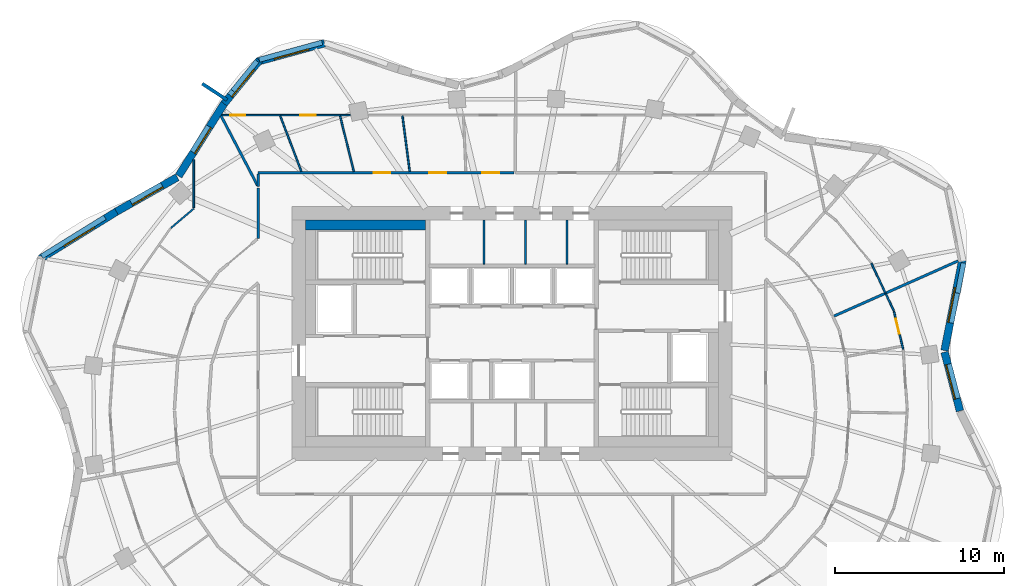
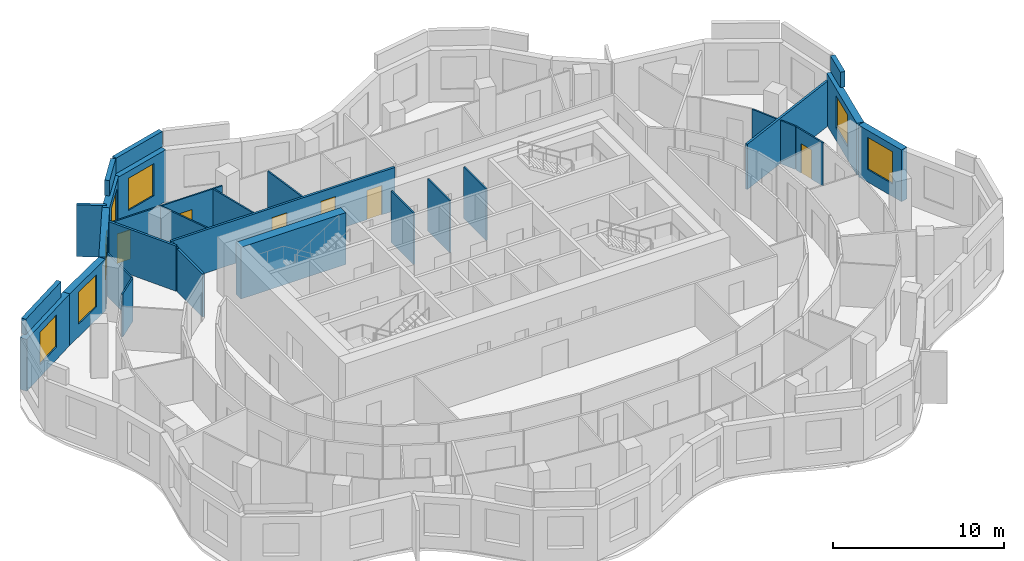
# One storey, part 8 of 11: 30 walls, 7 windows, 6 doors, 13 openings.
"""IFC4 building model written with IfcOpenShell, lengths in metres."""

from ifc_helpers import new_model, si_unit, direction, frame, frame_2d, origin, place, context, subcontext, project, spatial, rectangle, extrude, material, layer, layer_set, type_object, element, fill, save


model = new_model("IFC4")

# Units and contexts
model_context = context("Model", 3, precision=1e-05, world=origin(), true_north=direction((0.0, 1.0)))
body_context = subcontext(model_context, "Body", "Model", "MODEL_VIEW")
ifc_project = project(units=[si_unit("LENGTHUNIT", "METRE"), si_unit("AREAUNIT", "SQUARE_METRE"), si_unit("VOLUMEUNIT", "CUBIC_METRE"), si_unit("PLANEANGLEUNIT", "RADIAN"), si_unit("MASSUNIT", "GRAM", prefix="KILO")], contexts=[model_context])

# Site, building, storey
site_placement = place(None, origin())
site = spatial("IfcSite", under=ifc_project, at=site_placement, CompositionType="ELEMENT")
building_placement = place(site_placement, origin())
building = spatial("IfcBuilding", under=site, at=building_placement, Name="Rubra Terraces Tower", CompositionType="ELEMENT")
storey_placement = place(building_placement, frame((0.0, 0.0, 181.800048828125)))
storey = spatial("IfcBuildingStorey", under=building, at=storey_placement, Name="L44", CompositionType="ELEMENT", Elevation=181.800048828125)

# Wall, opening, window
ifc_material_1 = material(Name="Brick masonry red-brown", Category="masonry")
ifc_layer_1 = layer(ifc_material_1, 0.449951171875)
ifc_layer_set_1 = layer_set([ifc_layer_1], Name="Brick masonry red-brown")
wall_type_1 = type_object("IfcWallType", Name="Brick facade wall 450", PredefinedType="SOLIDWALL", material=ifc_layer_set_1)
wall_1_placement = place(storey_placement, frame((26.469482421875, -0.0791015625, 0.0), z_axis=(0.0, 0.0, 1.0), x_axis=(-0.252446779859, 0.967610780913, 0.0)))
wall_1 = element("IfcWall", 1, at=wall_1_placement, inside=storey, type_object=wall_type_1, Name="Facade wall L44 bay 1", PredefinedType="SOLIDWALL", context=body_context, shape_type="SweptSolid", body=[
    extrude(rectangle(XDim=3.5947265625, YDim=0.449951171875, at=frame_2d((1.79736328125, 0.0))), origin(), (0.0, 0.0, 1.0), 3.699951171875),
])
opening_1_placement = place(wall_1_placement, frame((0.747314453125, 0.0, 0.89990234375)))
opening_1 = element("IfcOpeningElement", 2, at=opening_1_placement, cuts=wall_1, Name="Opening W1B", PredefinedType="OPENING", context=body_context, shape_type="SweptSolid", body=[
    extrude(rectangle(XDim=2.10009765625, YDim=2.300048828125, at=frame_2d((1.050048828125, 1.14990234375))), frame((0.0, 0.23486328125, 0.0), z_axis=(0.0, -1.0, 0.0), x_axis=(1.0, 0.0, 0.0)), (0.0, 0.0, 1.0), 0.469970703125),
])
ifc_material_2 = material(Name="Clear glass in aluminium frame", Category="aluminium")
window_type_1 = type_object("IfcWindowType", Name="Fixed deep-set window tall storey 2100 x 2300", PartitioningType="SINGLE_PANEL", PredefinedType="WINDOW", material=ifc_material_2)
window_1_placement = place(opening_1_placement, origin())
window_1 = element("IfcWindow", 3, at=window_1_placement, inside=storey, type_object=window_type_1, Name="Window L44 bay 1", OverallHeight=2.300048828125, OverallWidth=2.10009765625, PartitioningType="SINGLE_PANEL", PredefinedType="WINDOW", context=body_context, shape_type="SweptSolid", body=[
    extrude(rectangle(XDim=2.10009765625, YDim=2.300048828125, at=frame_2d((1.050048828125, 1.14990234375))), frame((0.0, 0.135009765625, 0.0), z_axis=(0.0, -1.0, 0.0), x_axis=(1.0, 0.0, 0.0)), (0.0, 0.0, 1.0), 0.06005859375),
])
fill(opening_1, window_1)

wall_2_placement = place(storey_placement, frame((25.561279296875, 3.490478515625, 0.0), z_axis=(0.0, 0.0, 1.0), x_axis=(0.192494026297, 0.981298145234, 0.0)))
wall_2 = element("IfcWall", 4, at=wall_2_placement, inside=storey, type_object=wall_type_1, Name="Facade wall L44 bay 2", PredefinedType="SOLIDWALL", context=body_context, shape_type="SweptSolid", body=[
    extrude(rectangle(XDim=5.446044921875, YDim=0.449951171875, at=frame_2d((2.72314453125, 0.0))), origin(), (0.0, 0.0, 1.0), 3.699951171875),
])
opening_2_placement = place(wall_2_placement, frame((1.673095703125, 0.0, 0.89990234375)))
opening_2 = element("IfcOpeningElement", 5, at=opening_2_placement, cuts=wall_2, Name="Opening W1B", PredefinedType="OPENING", context=body_context, shape_type="SweptSolid", body=[
    extrude(rectangle(XDim=2.10009765625, YDim=2.300048828125, at=frame_2d((1.050048828125, 1.14990234375))), frame((0.0, 0.23486328125, 0.0), z_axis=(0.0, -1.0, 0.0), x_axis=(1.0, 0.0, 0.0)), (0.0, 0.0, 1.0), 0.469970703125),
])
window_2_placement = place(opening_2_placement, origin())
window_2 = element("IfcWindow", 6, at=window_2_placement, inside=storey, type_object=window_type_1, Name="Window L44 bay 2", OverallHeight=2.300048828125, OverallWidth=2.10009765625, PartitioningType="SINGLE_PANEL", PredefinedType="WINDOW", context=body_context, shape_type="SweptSolid", body=[
    extrude(rectangle(XDim=2.10009765625, YDim=2.300048828125, at=frame_2d((1.050048828125, 1.14990234375))), frame((0.0, 0.135009765625, 0.0), z_axis=(0.0, -1.0, 0.0), x_axis=(1.0, 0.0, 0.0)), (0.0, 0.0, 1.0), 0.06005859375),
])
fill(opening_2, window_2)

wall_3_placement = place(storey_placement, frame((-11.08251953125, 21.64990234375, 0.0), z_axis=(0.0, 0.0, 1.0), x_axis=(-0.964483204983, -0.264144179011, 0.0)))
wall_3 = element("IfcWall", 7, at=wall_3_placement, inside=storey, type_object=wall_type_1, Name="Facade wall L44 bay 14", PredefinedType="SOLIDWALL", context=body_context, shape_type="SweptSolid", body=[
    extrude(rectangle(XDim=4.103759765625, YDim=0.449951171875, at=frame_2d((2.0517578125, 0.0))), origin(), (0.0, 0.0, 1.0), 3.699951171875),
])
opening_3_placement = place(wall_3_placement, frame((1.001953125, 0.0, 0.89990234375)))
opening_3 = element("IfcOpeningElement", 8, at=opening_3_placement, cuts=wall_3, Name="Opening W1B", PredefinedType="OPENING", context=body_context, shape_type="SweptSolid", body=[
    extrude(rectangle(XDim=2.10009765625, YDim=2.300048828125, at=frame_2d((1.050048828125, 1.14990234375))), frame((0.0, 0.23486328125, 0.0), z_axis=(0.0, -1.0, 0.0), x_axis=(1.0, 0.0, 0.0)), (0.0, 0.0, 1.0), 0.469970703125),
])
window_3_placement = place(opening_3_placement, origin())
window_3 = element("IfcWindow", 9, at=window_3_placement, inside=storey, type_object=window_type_1, Name="Window L44 bay 14", OverallHeight=2.300048828125, OverallWidth=2.10009765625, PartitioningType="SINGLE_PANEL", PredefinedType="WINDOW", context=body_context, shape_type="SweptSolid", body=[
    extrude(rectangle(XDim=2.10009765625, YDim=2.300048828125, at=frame_2d((1.050048828125, 1.14990234375))), frame((0.0, 0.135009765625, 0.0), z_axis=(0.0, -1.0, 0.0), x_axis=(1.0, 0.0, 0.0)), (0.0, 0.0, 1.0), 0.06005859375),
])
fill(opening_3, window_3)

wall_4_placement = place(storey_placement, frame((-14.925537109375, 20.640869140625, 0.0), z_axis=(0.0, 0.0, 1.0), x_axis=(-0.631548074669, -0.775336720001, 0.0)))
wall_4 = element("IfcWall", 10, at=wall_4_placement, inside=storey, type_object=wall_type_1, Name="Facade wall L44 bay 15", PredefinedType="SOLIDWALL", context=body_context, shape_type="SweptSolid", body=[
    extrude(rectangle(XDim=3.3076171875, YDim=0.449951171875, at=frame_2d((1.65380859375, 0.0))), origin(), (0.0, 0.0, 1.0), 3.699951171875),
])
opening_4_placement = place(wall_4_placement, frame((0.603759765625, 0.0, 0.89990234375)))
opening_4 = element("IfcOpeningElement", 11, at=opening_4_placement, cuts=wall_4, Name="Opening W1B", PredefinedType="OPENING", context=body_context, shape_type="SweptSolid", body=[
    extrude(rectangle(XDim=2.10009765625, YDim=2.300048828125, at=frame_2d((1.050048828125, 1.14990234375))), frame((0.0, 0.23486328125, 0.0), z_axis=(0.0, -1.0, 0.0), x_axis=(1.0, 0.0, 0.0)), (0.0, 0.0, 1.0), 0.469970703125),
])
window_4_placement = place(opening_4_placement, origin())
window_4 = element("IfcWindow", 12, at=window_4_placement, inside=storey, type_object=window_type_1, Name="Window L44 bay 15", OverallHeight=2.300048828125, OverallWidth=2.10009765625, PartitioningType="SINGLE_PANEL", PredefinedType="WINDOW", context=body_context, shape_type="SweptSolid", body=[
    extrude(rectangle(XDim=2.10009765625, YDim=2.300048828125, at=frame_2d((1.050048828125, 1.14990234375))), frame((0.0, 0.135009765625, 0.0), z_axis=(0.0, -1.0, 0.0), x_axis=(1.0, 0.0, 0.0)), (0.0, 0.0, 1.0), 0.06005859375),
])
fill(opening_4, window_4)

wall_5_placement = place(storey_placement, frame((-16.998291015625, 18.0986328125, 0.0), z_axis=(0.0, 0.0, 1.0), x_axis=(-0.532745661304, -0.846275404559, 0.0)))
wall_5 = element("IfcWall", 13, at=wall_5_placement, inside=storey, type_object=wall_type_1, Name="Facade wall L44 bay 16", PredefinedType="SOLIDWALL", context=body_context, shape_type="SweptSolid", body=[
    extrude(rectangle(XDim=5.076171875, YDim=0.449951171875, at=frame_2d((2.5380859375, 0.0))), origin(), (0.0, 0.0, 1.0), 3.699951171875),
])
opening_5_placement = place(wall_5_placement, frame((1.63818359375, 0.0, 0.89990234375)))
opening_5 = element("IfcOpeningElement", 14, at=opening_5_placement, cuts=wall_5, Name="Opening W6B", PredefinedType="OPENING", context=body_context, shape_type="SweptSolid", body=[
    extrude(rectangle(XDim=1.800048828125, YDim=2.300048828125, at=frame_2d((0.89990234375, 1.14990234375))), frame((0.0, 0.23486328125, 0.0), z_axis=(0.0, -1.0, 0.0), x_axis=(1.0, 0.0, 0.0)), (0.0, 0.0, 1.0), 0.469970703125),
])
window_type_2 = type_object("IfcWindowType", Name="Fixed deep-set window at wind fin tall storey 1800 x 2300", PartitioningType="SINGLE_PANEL", PredefinedType="WINDOW", material=ifc_material_2)
window_5_placement = place(opening_5_placement, origin())
window_5 = element("IfcWindow", 15, at=window_5_placement, inside=storey, type_object=window_type_2, Name="Window L44 bay 16", OverallHeight=2.300048828125, OverallWidth=1.800048828125, PartitioningType="SINGLE_PANEL", PredefinedType="WINDOW", context=body_context, shape_type="SweptSolid", body=[
    extrude(rectangle(XDim=1.800048828125, YDim=2.300048828125, at=frame_2d((0.89990234375, 1.14990234375))), frame((0.0, 0.135009765625, 0.0), z_axis=(0.0, -1.0, 0.0), x_axis=(1.0, 0.0, 0.0)), (0.0, 0.0, 1.0), 0.06005859375),
])
fill(opening_5, window_5)

wall_6_placement = place(storey_placement, frame((-19.77587890625, 13.730712890625, 0.0), z_axis=(0.0, 0.0, 1.0), x_axis=(-0.870610133829, -0.491973571318, 0.0)))
wall_6 = element("IfcWall", 16, at=wall_6_placement, inside=storey, type_object=wall_type_1, Name="Facade wall L44 bay 17", PredefinedType="SOLIDWALL", context=body_context, shape_type="SweptSolid", body=[
    extrude(rectangle(XDim=4.1337890625, YDim=0.449951171875, at=frame_2d((2.06689453125, 0.0))), origin(), (0.0, 0.0, 1.0), 3.699951171875),
])
opening_6_placement = place(wall_6_placement, frame((1.016845703125, 0.0, 0.89990234375)))
opening_6 = element("IfcOpeningElement", 17, at=opening_6_placement, cuts=wall_6, Name="Opening W1B", PredefinedType="OPENING", context=body_context, shape_type="SweptSolid", body=[
    extrude(rectangle(XDim=2.10009765625, YDim=2.300048828125, at=frame_2d((1.050048828125, 1.14990234375))), frame((0.0, 0.23486328125, 0.0), z_axis=(0.0, -1.0, 0.0), x_axis=(1.0, 0.0, 0.0)), (0.0, 0.0, 1.0), 0.469970703125),
])
window_6_placement = place(opening_6_placement, origin())
window_6 = element("IfcWindow", 18, at=window_6_placement, inside=storey, type_object=window_type_1, Name="Window L44 bay 17", OverallHeight=2.300048828125, OverallWidth=2.10009765625, PartitioningType="SINGLE_PANEL", PredefinedType="WINDOW", context=body_context, shape_type="SweptSolid", body=[
    extrude(rectangle(XDim=2.10009765625, YDim=2.300048828125, at=frame_2d((1.050048828125, 1.14990234375))), frame((0.0, 0.135009765625, 0.0), z_axis=(0.0, -1.0, 0.0), x_axis=(1.0, 0.0, 0.0)), (0.0, 0.0, 1.0), 0.06005859375),
])
fill(opening_6, window_6)

wall_7_placement = place(storey_placement, frame((-23.368408203125, 11.700927734375, 0.0), z_axis=(0.0, 0.0, 1.0), x_axis=(-0.850251408633, -0.526376806211, 0.0)))
wall_7 = element("IfcWall", 19, at=wall_7_placement, inside=storey, type_object=wall_type_1, Name="Facade wall L44 bay 18", PredefinedType="SOLIDWALL", context=body_context, shape_type="SweptSolid", body=[
    extrude(rectangle(XDim=5.30224609375, YDim=0.449951171875, at=frame_2d((2.651123046875, 0.0))), origin(), (0.0, 0.0, 1.0), 3.699951171875),
])
opening_7_placement = place(wall_7_placement, frame((1.601318359375, 0.0, 0.89990234375)))
opening_7 = element("IfcOpeningElement", 20, at=opening_7_placement, cuts=wall_7, Name="Opening W1B", PredefinedType="OPENING", context=body_context, shape_type="SweptSolid", body=[
    extrude(rectangle(XDim=2.10009765625, YDim=2.300048828125, at=frame_2d((1.050048828125, 1.14990234375))), frame((0.0, 0.23486328125, 0.0), z_axis=(0.0, -1.0, 0.0), x_axis=(1.0, 0.0, 0.0)), (0.0, 0.0, 1.0), 0.469970703125),
])
window_7_placement = place(opening_7_placement, origin())
window_7 = element("IfcWindow", 21, at=window_7_placement, inside=storey, type_object=window_type_1, Name="Window L44 bay 18", OverallHeight=2.300048828125, OverallWidth=2.10009765625, PartitioningType="SINGLE_PANEL", PredefinedType="WINDOW", context=body_context, shape_type="SweptSolid", body=[
    extrude(rectangle(XDim=2.10009765625, YDim=2.300048828125, at=frame_2d((1.050048828125, 1.14990234375))), frame((0.0, 0.135009765625, 0.0), z_axis=(0.0, -1.0, 0.0), x_axis=(1.0, 0.0, 0.0)), (0.0, 0.0, 1.0), 0.06005859375),
])
fill(opening_7, window_7)

# Walls
ifc_layer_2 = layer(ifc_material_1, 0.300048828125)
ifc_layer_set_2 = layer_set([ifc_layer_2], Name="Brick masonry red-brown")
wall_type_2 = type_object("IfcWallType", Name="Brick parapet 300", PredefinedType="PARAPET", material=ifc_layer_set_2)
wall_8_placement = place(storey_placement, frame((26.33154296875, 6.888671875, 3.89990234375), z_axis=(0.0, 0.0, 1.0), x_axis=(0.192480725658, 0.981300754229, 0.0)))
element("IfcWall", 22, at=wall_8_placement, inside=storey, type_object=wall_type_2, Name="Parapet L44 bay 2", PredefinedType="PARAPET", context=body_context, shape_type="SweptSolid", body=[
    extrude(rectangle(XDim=1.808837890625, YDim=0.300048828125, at=frame_2d((0.904296875, 0.0))), origin(), (0.0, 0.0, 1.0), 1.10009765625),
])
wall_9_placement = place(storey_placement, frame((-11.220458984375, 21.68994140625, 3.89990234375), z_axis=(0.0, 0.0, 1.0), x_axis=(-0.964484148392, -0.264140734271, 0.0)))
element("IfcWall", 23, at=wall_9_placement, inside=storey, type_object=wall_type_2, Name="Parapet L44 bay 14", PredefinedType="PARAPET", context=body_context, shape_type="SweptSolid", body=[
    extrude(rectangle(XDim=3.855224609375, YDim=0.300048828125, at=frame_2d((1.927734375, 0.0))), origin(), (0.0, 0.0, 1.0), 1.10009765625),
])
wall_10_placement = place(storey_placement, frame((-15.063232421875, 20.590576171875, 3.89990234375), z_axis=(0.0, 0.0, 1.0), x_axis=(-0.631559943447, -0.775327052174, 0.0)))
element("IfcWall", 24, at=wall_10_placement, inside=storey, type_object=wall_type_2, Name="Parapet L44 bay 15", PredefinedType="PARAPET", context=body_context, shape_type="SweptSolid", body=[
    extrude(rectangle(XDim=2.26025390625, YDim=0.300048828125, at=frame_2d((1.130126953125, 0.0))), origin(), (0.0, 0.0, 1.0), 1.10009765625),
])
wall_11_placement = place(storey_placement, frame((-24.05712890625, 11.36279296875, 3.89990234375), z_axis=(0.0, 0.0, 1.0), x_axis=(-0.85023666639, -0.526400618471, 0.0)))
element("IfcWall", 25, at=wall_11_placement, inside=storey, type_object=wall_type_2, Name="Parapet L44 bay 18", PredefinedType="PARAPET", context=body_context, shape_type="SweptSolid", body=[
    extrude(rectangle(XDim=4.384765625, YDim=0.300048828125, at=frame_2d((2.1923828125, 0.0))), origin(), (0.0, 0.0, 1.0), 1.10009765625),
])
ifc_layer_3 = layer(ifc_material_1, 0.199951171875)
ifc_layer_set_3 = layer_set([ifc_layer_3], Name="Brick masonry red-brown")
wall_type_3 = type_object("IfcWallType", Name="Brick wind fin 200", PredefinedType="SOLIDWALL", material=ifc_layer_set_3)
wall_12_placement = place(storey_placement, frame((-16.837890625, 18.298095703125, 0.0), z_axis=(0.0, 0.0, 1.0), x_axis=(-0.835871900419, 0.548924554097, 0.0)))
element("IfcWall", 26, at=wall_12_placement, inside=storey, type_object=wall_type_3, Name="Wind fin L44 9", PredefinedType="SOLIDWALL", context=body_context, shape_type="SweptSolid", body=[
    extrude(rectangle(XDim=1.750244140625, YDim=0.199951171875, at=frame_2d((0.875, 0.0))), origin(), (0.0, 0.0, 1.0), 3.699951171875),
])

# Wall, openings, doors
ifc_material_3 = material(Name="Plasterboard on steel stud, mineral wool infill", Category="steel")
ifc_layer_4 = layer(ifc_material_3, 0.14990234375)
ifc_layer_set_4 = layer_set([ifc_layer_4], Name="Plasterboard on steel stud, mineral wool infill")
wall_type_4 = type_object("IfcWallType", Name="CORRIDOR PARTITION 150", PredefinedType="PARTITIONING", material=ifc_layer_set_4)
wall_13_placement = place(storey_placement, frame((0.125244140625, 14.0, 0.0), z_axis=(0.0, 0.0, 1.0), x_axis=(-1.0, 0.0, 0.0)))
wall_13 = element("IfcWall", 27, at=wall_13_placement, inside=storey, type_object=wall_type_4, Name="PARTITION", PredefinedType="PARTITIONING", context=body_context, shape_type="SweptSolid", body=[
    extrude(rectangle(XDim=15.125244140625, YDim=0.14990234375, at=frame_2d((7.5625, 0.0))), origin(), (0.0, 0.0, 1.0), 3.083984375),
])
opening_8_placement = place(wall_13_placement, frame((0.887939453125, 0.0, 0.0)))
opening_8 = element("IfcOpeningElement", 28, at=opening_8_placement, cuts=wall_13, Name="Opening 44-104", PredefinedType="OPENING", context=body_context, shape_type="SweptSolid", body=[
    extrude(rectangle(XDim=1.0, YDim=2.10009765625, at=frame_2d((0.5, 1.050048828125))), frame((0.0, 0.0849609375, 0.0), z_axis=(0.0, -1.0, 0.0), x_axis=(1.0, 0.0, 0.0)), (0.0, 0.0, 1.0), 0.169921875),
])
opening_9_placement = place(wall_13_placement, frame((4.0048828125, 0.0, 0.0)))
opening_9 = element("IfcOpeningElement", 29, at=opening_9_placement, cuts=wall_13, Name="Opening 44-106", PredefinedType="OPENING", context=body_context, shape_type="SweptSolid", body=[
    extrude(rectangle(XDim=1.0, YDim=2.39990234375, at=frame_2d((0.5, 1.199951171875))), frame((0.0, 0.0849609375, 0.0), z_axis=(0.0, -1.0, 0.0), x_axis=(1.0, 0.0, 0.0)), (0.0, 0.0, 1.0), 0.169921875),
])
opening_10_placement = place(wall_13_placement, frame((7.306884765625, 0.0, 0.0)))
opening_10 = element("IfcOpeningElement", 30, at=opening_10_placement, cuts=wall_13, Name="Opening 44-107", PredefinedType="OPENING", context=body_context, shape_type="SweptSolid", body=[
    extrude(rectangle(XDim=1.0, YDim=2.39990234375, at=frame_2d((0.5, 1.199951171875))), frame((0.0, 0.0849609375, 0.0), z_axis=(0.0, -1.0, 0.0), x_axis=(1.0, 0.0, 0.0)), (0.0, 0.0, 1.0), 0.169921875),
])
ifc_material_4 = material(Name="Glazed aluminium meeting door leaf", Category="aluminium")
door_type_1 = type_object("IfcDoorType", Name="MEETING ROOM GLAZED DOOR 1000 X 2400", OperationType="SINGLE_SWING_LEFT", PredefinedType="DOOR", material=ifc_material_4)
door_1_placement = place(opening_9_placement, origin())
door_1 = element("IfcDoor", 31, at=door_1_placement, inside=storey, type_object=door_type_1, Name="DOOR 44-106", OperationType="SINGLE_SWING_RIGHT", OverallHeight=2.39990234375, OverallWidth=1.0, PredefinedType="DOOR", context=body_context, shape_type="SweptSolid", body=[
    extrude(rectangle(XDim=1.0, YDim=2.39990234375, at=frame_2d((0.5, 1.199951171875))), frame((0.0, 0.02490234375, 0.0), z_axis=(0.0, -1.0, 0.0), x_axis=(1.0, 0.0, 0.0)), (0.0, 0.0, 1.0), 0.050048828125),
])
fill(opening_9, door_1)
door_2_placement = place(opening_10_placement, origin())
door_2 = element("IfcDoor", 32, at=door_2_placement, inside=storey, type_object=door_type_1, Name="DOOR 44-107", OperationType="SINGLE_SWING_RIGHT", OverallHeight=2.39990234375, OverallWidth=1.0, PredefinedType="DOOR", context=body_context, shape_type="SweptSolid", body=[
    extrude(rectangle(XDim=1.0, YDim=2.39990234375, at=frame_2d((0.5, 1.199951171875))), frame((0.0, 0.02490234375, 0.0), z_axis=(0.0, -1.0, 0.0), x_axis=(1.0, 0.0, 0.0)), (0.0, 0.0, 1.0), 0.050048828125),
])
fill(opening_10, door_2)
ifc_material_5 = material(Name="Painted timber door leaf", Category="wood")
door_type_2 = type_object("IfcDoorType", Name="ROOM DOOR 1000 X 2100", OperationType="SINGLE_SWING_LEFT", PredefinedType="DOOR", material=ifc_material_5)
door_3_placement = place(opening_8_placement, origin())
door_3 = element("IfcDoor", 33, at=door_3_placement, inside=storey, type_object=door_type_2, Name="DOOR 44-104", OperationType="SINGLE_SWING_RIGHT", OverallHeight=2.10009765625, OverallWidth=1.0, PredefinedType="DOOR", context=body_context, shape_type="SweptSolid", body=[
    extrude(rectangle(XDim=1.0, YDim=2.10009765625, at=frame_2d((0.5, 1.050048828125))), frame((0.0, 0.02490234375, 0.0), z_axis=(0.0, -1.0, 0.0), x_axis=(1.0, 0.0, 0.0)), (0.0, 0.0, 1.0), 0.050048828125),
])
fill(opening_8, door_3)

# Walls
wall_14_placement = place(storey_placement, frame((-15.0, 13.925048828125, 0.0), z_axis=(0.0, 0.0, 1.0), x_axis=(0.0, -1.0, 0.0)))
element("IfcWall", 34, at=wall_14_placement, inside=storey, type_object=wall_type_4, Name="PARTITION", PredefinedType="PARTITIONING", context=body_context, shape_type="SweptSolid", body=[
    extrude(rectangle(XDim=0.75146484375, YDim=0.14990234375, at=frame_2d((0.375732421875, 0.0))), origin(), (0.0, 0.0, 1.0), 3.083984375),
])
wall_15_placement = place(storey_placement, frame((-15.0, 13.0986328125, 0.0), z_axis=(0.0, 0.0, 1.0), x_axis=(0.0, -1.0, 0.0)))
element("IfcWall", 35, at=wall_15_placement, inside=storey, type_object=wall_type_4, Name="PARTITION", PredefinedType="PARTITIONING", context=body_context, shape_type="SweptSolid", body=[
    extrude(rectangle(XDim=2.97705078125, YDim=0.14990234375, at=frame_2d((1.488525390625, 0.0))), origin(), (0.0, 0.0, 1.0), 3.083984375),
])
ifc_material_6 = material(Name="Concrete C40", Category="concrete")
ifc_layer_5 = layer(ifc_material_6, 0.60009765625)
ifc_layer_set_5 = layer_set([ifc_layer_5], Name="Concrete C40")
wall_type_5 = type_object("IfcWallType", Name="Core lining wall 600 concrete", PredefinedType="SOLIDWALL", material=ifc_layer_set_5)
wall_16_placement = place(storey_placement, frame((-12.199951171875, 10.89990234375, 0.0), z_axis=(0.0, 0.0, 1.0), x_axis=(1.0, 0.0, 0.0)))
element("IfcWall", 36, at=wall_16_placement, inside=storey, type_object=wall_type_5, Name="CORE LINING WALL L44", PredefinedType="SOLIDWALL", context=body_context, shape_type="SweptSolid", body=[
    extrude(rectangle(XDim=7.099853515625, YDim=0.60009765625, at=frame_2d((3.5498046875, 0.0))), origin(), (0.0, 0.0, 1.0), 3.699951171875),
])

# Wall, openings, doors
ifc_material_7 = material(Name="Plasterboard on steel stud", Category="steel")
ifc_layer_6 = layer(ifc_material_7, 0.10009765625)
ifc_layer_set_6 = layer_set([ifc_layer_6], Name="Plasterboard on steel stud")
wall_type_6 = type_object("IfcWallType", Name="ROOM PARTITION 100", PredefinedType="PARTITIONING", material=ifc_layer_set_6)
wall_17_placement = place(storey_placement, frame((-17.148681640625, 17.39990234375, 0.0), z_axis=(0.0, 0.0, 1.0), x_axis=(1.0, 0.0, 0.0)))
wall_17 = element("IfcWall", 37, at=wall_17_placement, inside=storey, type_object=wall_type_6, Name="PARTITION", PredefinedType="PARTITIONING", context=body_context, shape_type="SweptSolid", body=[
    extrude(rectangle(XDim=7.602294921875, YDim=0.10009765625, at=frame_2d((3.80126953125, 0.0))), origin(), (0.0, 0.0, 1.0), 3.083984375),
])
opening_11_placement = place(wall_17_placement, frame((4.64306640625, 0.0, 0.0)))
opening_11 = element("IfcOpeningElement", 38, at=opening_11_placement, cuts=wall_17, Name="Opening 44-108", PredefinedType="OPENING", context=body_context, shape_type="SweptSolid", body=[
    extrude(rectangle(XDim=0.89990234375, YDim=2.10009765625, at=frame_2d((0.449951171875, 1.050048828125))), frame((0.0, 0.06005859375, 0.0), z_axis=(0.0, -1.0, 0.0), x_axis=(1.0, 0.0, 0.0)), (0.0, 0.0, 1.0), 0.1201171875),
])
opening_12_placement = place(wall_17_placement, frame((0.5, 0.0, 0.0)))
opening_12 = element("IfcOpeningElement", 39, at=opening_12_placement, cuts=wall_17, Name="Opening 44-109", PredefinedType="OPENING", context=body_context, shape_type="SweptSolid", body=[
    extrude(rectangle(XDim=0.89990234375, YDim=2.10009765625, at=frame_2d((0.449951171875, 1.050048828125))), frame((0.0, 0.06005859375, 0.0), z_axis=(0.0, -1.0, 0.0), x_axis=(1.0, 0.0, 0.0)), (0.0, 0.0, 1.0), 0.1201171875),
])
door_type_3 = type_object("IfcDoorType", Name="ROOM DOOR 900 X 2100", OperationType="SINGLE_SWING_LEFT", PredefinedType="DOOR", material=ifc_material_5)
door_4_placement = place(opening_11_placement, origin())
door_4 = element("IfcDoor", 40, at=door_4_placement, inside=storey, type_object=door_type_3, Name="DOOR 44-108", OperationType="SINGLE_SWING_LEFT", OverallHeight=2.10009765625, OverallWidth=0.89990234375, PredefinedType="DOOR", context=body_context, shape_type="SweptSolid", body=[
    extrude(rectangle(XDim=0.89990234375, YDim=2.10009765625, at=frame_2d((0.449951171875, 1.050048828125))), frame((0.0, 0.02490234375, 0.0), z_axis=(0.0, -1.0, 0.0), x_axis=(1.0, 0.0, 0.0)), (0.0, 0.0, 1.0), 0.050048828125),
])
fill(opening_11, door_4)
door_5_placement = place(opening_12_placement, origin())
door_5 = element("IfcDoor", 41, at=door_5_placement, inside=storey, type_object=door_type_3, Name="DOOR 44-109", OperationType="SINGLE_SWING_LEFT", OverallHeight=2.10009765625, OverallWidth=0.89990234375, PredefinedType="DOOR", context=body_context, shape_type="SweptSolid", body=[
    extrude(rectangle(XDim=0.89990234375, YDim=2.10009765625, at=frame_2d((0.449951171875, 1.050048828125))), frame((0.0, 0.02490234375, 0.0), z_axis=(0.0, -1.0, 0.0), x_axis=(1.0, 0.0, 0.0)), (0.0, 0.0, 1.0), 0.050048828125),
])
fill(opening_12, door_5)

# Walls
wall_18_placement = place(storey_placement, frame((-6.043212890625, 14.074462890625, 0.0), z_axis=(0.0, 0.0, 1.0), x_axis=(-0.12990779889, 0.991526078219, 0.0)))
element("IfcWall", 42, at=wall_18_placement, inside=storey, type_object=wall_type_6, Name="PARTITION", PredefinedType="PARTITIONING", context=body_context, shape_type="SweptSolid", body=[
    extrude(rectangle(XDim=3.303955078125, YDim=0.10009765625, at=frame_2d((1.65185546875, 0.0))), origin(), (0.0, 0.0, 1.0), 3.083984375),
])
wall_19_placement = place(storey_placement, frame((-9.347412109375, 14.07275390625, 0.0), z_axis=(0.0, 0.0, 1.0), x_axis=(-0.239847329474, 0.970810619299, 0.0)))
element("IfcWall", 43, at=wall_19_placement, inside=storey, type_object=wall_type_6, Name="PARTITION", PredefinedType="PARTITIONING", context=body_context, shape_type="SweptSolid", body=[
    extrude(rectangle(XDim=3.37744140625, YDim=0.10009765625, at=frame_2d((1.688720703125, 0.0))), origin(), (0.0, 0.0, 1.0), 3.083984375),
])
wall_20_placement = place(storey_placement, frame((-12.447021484375, 14.070068359375, 0.0), z_axis=(0.0, 0.0, 1.0), x_axis=(-0.354534757725, 0.935042836219, 0.0)))
element("IfcWall", 44, at=wall_20_placement, inside=storey, type_object=wall_type_6, Name="PARTITION", PredefinedType="PARTITIONING", context=body_context, shape_type="SweptSolid", body=[
    extrude(rectangle(XDim=3.51123046875, YDim=0.10009765625, at=frame_2d((1.755615234375, 0.0))), origin(), (0.0, 0.0, 1.0), 3.083984375),
])
wall_21_placement = place(storey_placement, frame((-20.1513671875, 10.733642578125, 0.0), z_axis=(0.0, 0.0, 1.0), x_axis=(0.762465888028, 0.647028414827, 0.0)))
element("IfcWall", 45, at=wall_21_placement, inside=storey, type_object=wall_type_6, Name="PARTITION", PredefinedType="PARTITIONING", context=body_context, shape_type="SweptSolid", body=[
    extrude(rectangle(XDim=1.772216796875, YDim=0.10009765625, at=frame_2d((0.88623046875, 0.0))), origin(), (0.0, 0.0, 1.0), 3.083984375),
])
wall_22_placement = place(storey_placement, frame((-18.800048828125, 11.930419921875, 0.0), z_axis=(0.0, 0.0, 1.0), x_axis=(0.0, 1.0, 0.0)))
element("IfcWall", 46, at=wall_22_placement, inside=storey, type_object=wall_type_6, Name="PARTITION", PredefinedType="PARTITIONING", context=body_context, shape_type="SweptSolid", body=[
    extrude(rectangle(XDim=2.846435546875, YDim=0.10009765625, at=frame_2d((1.42333984375, 0.0))), origin(), (0.0, 0.0, 1.0), 3.083984375),
])
wall_23_placement = place(storey_placement, frame((22.0791015625, 6.85986328125, 0.0), z_axis=(0.0, 0.0, 1.0), x_axis=(0.428105084675, -0.903728961844, 0.0)))
element("IfcWall", 47, at=wall_23_placement, inside=storey, type_object=wall_type_6, Name="PARTITION", PredefinedType="PARTITIONING", context=body_context, shape_type="SweptSolid", body=[
    extrude(rectangle(XDim=1.1201171875, YDim=0.10009765625, at=frame_2d((0.56005859375, 0.0))), origin(), (0.0, 0.0, 1.0), 3.083984375),
])

# Wall, opening, door
wall_24_placement = place(storey_placement, frame((22.5703125, 5.799072265625, 0.0), z_axis=(0.0, 0.0, 1.0), x_axis=(0.236811358433, -0.971555649727, 0.0)))
wall_24 = element("IfcWall", 48, at=wall_24_placement, inside=storey, type_object=wall_type_6, Name="PARTITION", PredefinedType="PARTITIONING", context=body_context, shape_type="SweptSolid", body=[
    extrude(rectangle(XDim=2.289794921875, YDim=0.10009765625, at=frame_2d((1.14501953125, 0.0))), origin(), (0.0, 0.0, 1.0), 3.083984375),
])
opening_13_placement = place(wall_24_placement, frame((0.449951171875, 0.0, 0.0)))
opening_13 = element("IfcOpeningElement", 49, at=opening_13_placement, cuts=wall_24, Name="Opening 44-124", PredefinedType="OPENING", context=body_context, shape_type="SweptSolid", body=[
    extrude(rectangle(XDim=0.89990234375, YDim=2.10009765625, at=frame_2d((0.449951171875, 1.050048828125))), frame((0.0, 0.06005859375, 0.0), z_axis=(0.0, -1.0, 0.0), x_axis=(1.0, 0.0, 0.0)), (0.0, 0.0, 1.0), 0.1201171875),
])
door_6_placement = place(opening_13_placement, origin())
door_6 = element("IfcDoor", 50, at=door_6_placement, inside=storey, type_object=door_type_3, Name="DOOR 44-124", OperationType="SINGLE_SWING_LEFT", OverallHeight=2.10009765625, OverallWidth=0.89990234375, PredefinedType="DOOR", context=body_context, shape_type="SweptSolid", body=[
    extrude(rectangle(XDim=0.89990234375, YDim=2.10009765625, at=frame_2d((0.449951171875, 1.050048828125))), frame((0.0, 0.02490234375, 0.0), z_axis=(0.0, -1.0, 0.0), x_axis=(1.0, 0.0, 0.0)), (0.0, 0.0, 1.0), 0.050048828125),
])
fill(opening_13, door_6)

# Walls
wall_25_placement = place(storey_placement, frame((21.233642578125, 8.644287109375, 0.0), z_axis=(0.0, 0.0, 1.0), x_axis=(0.428183987328, -0.903691580682, 0.0)))
element("IfcWall", 51, at=wall_25_placement, inside=storey, type_object=wall_type_6, Name="PARTITION", PredefinedType="PARTITIONING", context=body_context, shape_type="SweptSolid", body=[
    extrude(rectangle(XDim=1.9345703125, YDim=0.10009765625, at=frame_2d((0.96728515625, 0.0))), origin(), (0.0, 0.0, 1.0), 3.083984375),
])
ifc_layer_7 = layer(ifc_material_7, 0.14990234375)
ifc_layer_set_7 = layer_set([ifc_layer_7], Name="Plasterboard on steel stud")
wall_type_7 = type_object("IfcWallType", Name="ROOM PARTITION 150", PredefinedType="PARTITIONING", material=ifc_layer_set_7)
wall_26_placement = place(storey_placement, frame((-17.19287109375, 17.35986328125, 0.0), z_axis=(0.0, 0.0, 1.0), x_axis=(0.463995225493, -0.885837699988, 0.0)))
element("IfcWall", 52, at=wall_26_placement, inside=storey, type_object=wall_type_7, Name="PARTITION", PredefinedType="PARTITIONING", context=body_context, shape_type="SweptSolid", body=[
    extrude(rectangle(XDim=4.65087890625, YDim=0.14990234375, at=frame_2d((2.325439453125, 0.0))), origin(), (0.0, 0.0, 1.0), 3.23388671875),
])
wall_27_placement = place(storey_placement, frame((26.3671875, 8.789306640625, 0.0), z_axis=(0.0, 0.0, 1.0), x_axis=(-0.913673557468, -0.406448804137, 0.0)))
element("IfcWall", 53, at=wall_27_placement, inside=storey, type_object=wall_type_7, Name="PARTITION", PredefinedType="PARTITIONING", context=body_context, shape_type="SweptSolid", body=[
    extrude(rectangle(XDim=8.028564453125, YDim=0.14990234375, at=frame_2d((4.01416015625, 0.0))), origin(), (0.0, 0.0, 1.0), 3.23388671875),
])
ifc_material_8 = material(Name="Blockwork", Category="masonry")
ifc_layer_8 = layer(ifc_material_8, 0.10009765625)
ifc_layer_set_8 = layer_set([ifc_layer_8], Name="Blockwork")
wall_type_8 = type_object("IfcWallType", Name="Service partition 100 blockwork", PredefinedType="PARTITIONING", material=ifc_layer_set_8)
for number, where, z_axis, x_axis, name in (
    (54, (-1.64990234375, 8.60009765625, 0.0), (0.0, 0.0, 1.0), (0.0, 1.0, 0.0), "SERVICE ROOM PARTITION L44"),
    (55, (0.800048828125, 8.60009765625, 0.0), (0.0, 0.0, 1.0), (0.0, 1.0, 0.0), "SERVICE ROOM PARTITION L44"),
    (56, (3.25, 8.60009765625, 0.0), (0.0, 0.0, 1.0), (0.0, 1.0, 0.0), "SERVICE ROOM PARTITION L44"),
):
    element("IfcWall", number, at=place(storey_placement, frame(where, z_axis=z_axis, x_axis=x_axis)), inside=storey, type_object=wall_type_8, Name=name, PredefinedType="PARTITIONING", context=body_context, shape_type="SweptSolid", body=[
        extrude(rectangle(XDim=2.599853515625, YDim=0.10009765625, at=frame_2d((1.2998046875, 0.0))), origin(), (0.0, 0.0, 1.0), 3.699951171875),
    ])

save(model, "model.ifc")
